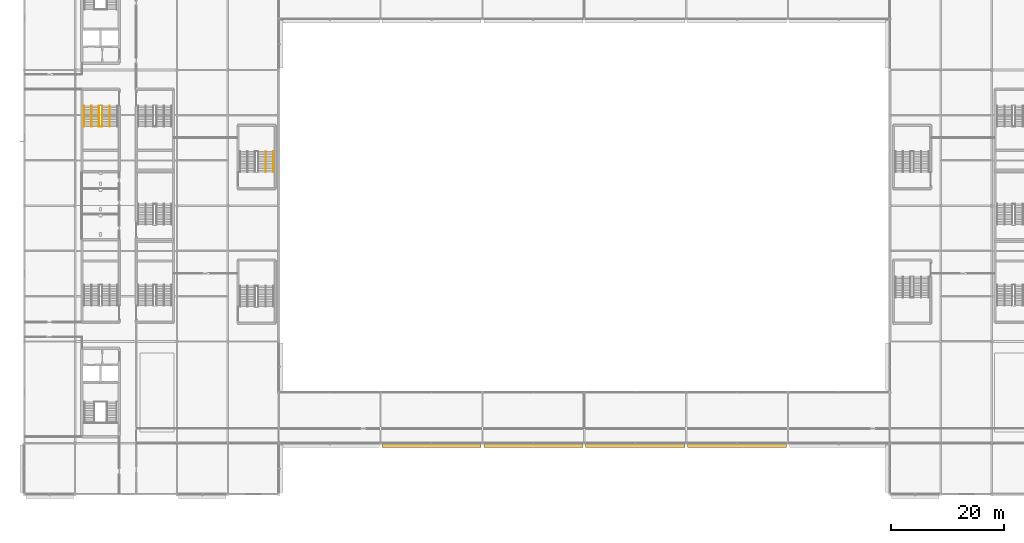
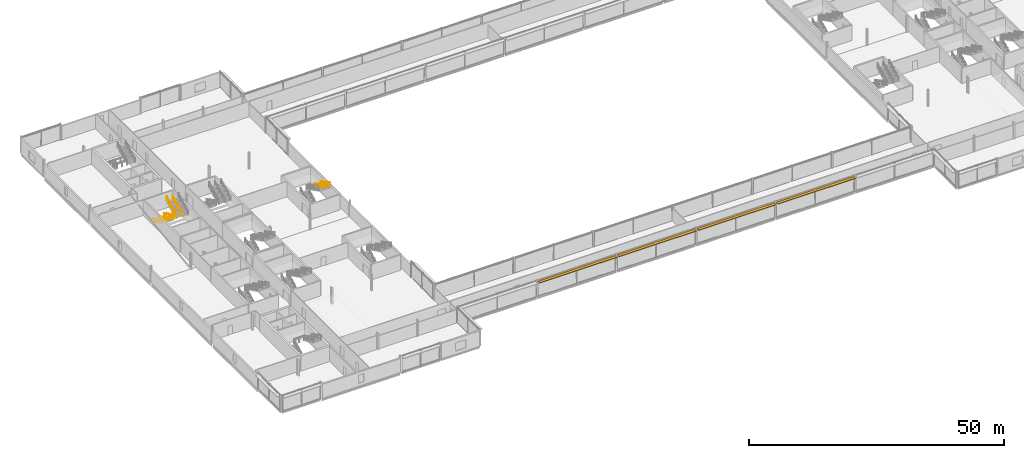
# One storey, part 89 of 96: 6 railings, 4 shading devices.
"""IFC4 building model written with IfcOpenShell, lengths in metres."""

from ifc_helpers import new_model, si_unit, direction, frame, origin, origin_2d, place, context, subcontext, project, spatial, rectangle, circle, extrude, material, type_object, element, save


model = new_model("IFC4")

# Units and contexts
model_context = context("Model", 3, precision=1e-05, world=origin(), true_north=direction((0.0, 1.0)))
body_context = subcontext(model_context, "Body", "Model", "MODEL_VIEW")
ifc_project = project(units=[si_unit("LENGTHUNIT", "METRE"), si_unit("AREAUNIT", "SQUARE_METRE"), si_unit("VOLUMEUNIT", "CUBIC_METRE"), si_unit("PLANEANGLEUNIT", "RADIAN"), si_unit("MASSUNIT", "GRAM", prefix="KILO")], contexts=[model_context])

# Site, building, storey
site_placement = place(None, origin())
site = spatial("IfcSite", under=ifc_project, at=site_placement, CompositionType="ELEMENT")
building_placement = place(site_placement, origin())
building = spatial("IfcBuilding", under=site, at=building_placement, Name="Kisiwana Market Hall", CompositionType="ELEMENT")
storey_placement = place(building_placement, frame((0.0, 0.0, 25.5)))
storey = spatial("IfcBuildingStorey", under=building, at=storey_placement, Name="L05", CompositionType="ELEMENT", Elevation=25.5)

# Railings
ifc_material_1 = material(Name="Steel S275", Category="steel")
railing_type_1 = type_object("IfcRailingType", Name="RL-GUARD-1100", PredefinedType="GUARDRAIL", material=ifc_material_1)
railing_1_placement = place(storey_placement, frame((13.219970703125, 77.639892578125, 0.0)))
element("IfcRailing", 1, at=railing_1_placement, inside=storey, type_object=railing_type_1, Name="Stair ST-W4-L05 inner-well guardrail (RL-873)", PredefinedType="GUARDRAIL", context=body_context, shape_type="SweptSolid", body=[
    extrude(circle(Radius=0.02392578125, at=origin_2d()), frame((0.0, 0.0, 1.076171875), z_axis=(0.0, -0.88255331184, 0.47021234752), x_axis=(1.0, 0.0, 0.0)), (0.0, 0.0, 1.0), 4.14697265625),
    extrude(circle(Radius=0.02392578125, at=origin_2d()), frame((0.0, -3.659912109375, 3.02587890625), z_axis=(1.0, 0.0, 0.0), x_axis=(0.0, 1.0, 0.0)), (0.0, 0.0, 1.0), 0.56005859375),
    extrude(circle(Radius=0.02392578125, at=origin_2d()), frame((0.56005859375, -3.659912109375, 3.02587890625), z_axis=(0.0, 0.88255331184, 0.47021234752), x_axis=(-1.0, 0.0, 0.0)), (0.0, 0.0, 1.0), 4.14697265625),
    extrude(circle(Radius=0.02099609375, at=origin_2d()), origin(), (0.0, 0.0, 1.0), 1.052001953125),
    extrude(circle(Radius=0.02099609375, at=origin_2d()), frame((0.0, -0.9150390625, 0.487548828125)), (0.0, 0.0, 1.0), 1.052001953125),
    extrude(circle(Radius=0.02099609375, at=origin_2d()), frame((0.0, -1.830078125, 0.97509765625)), (0.0, 0.0, 1.0), 1.052001953125),
    extrude(circle(Radius=0.02099609375, at=origin_2d()), frame((0.0, -2.744873046875, 1.46240234375)), (0.0, 0.0, 1.0), 1.052001953125),
    extrude(circle(Radius=0.02099609375, at=origin_2d()), frame((0.0, -3.659912109375, 1.949951171875)), (0.0, 0.0, 1.0), 1.052001953125),
    extrude(circle(Radius=0.02099609375, at=origin_2d()), frame((0.56005859375, -3.659912109375, 1.949951171875)), (0.0, 0.0, 1.0), 1.052001953125),
    extrude(circle(Radius=0.02099609375, at=origin_2d()), frame((0.56005859375, -2.744873046875, 2.4375)), (0.0, 0.0, 1.0), 1.052001953125),
    extrude(circle(Radius=0.02099609375, at=origin_2d()), frame((0.56005859375, -1.830078125, 2.9248046875)), (0.0, 0.0, 1.0), 1.052001953125),
    extrude(circle(Radius=0.02099609375, at=origin_2d()), frame((0.56005859375, -0.9150390625, 3.412353515625)), (0.0, 0.0, 1.0), 1.052001953125),
    extrude(circle(Radius=0.02099609375, at=origin_2d()), frame((0.56005859375, 0.0, 3.89990234375)), (0.0, 0.0, 1.0), 1.052001953125),
])
ifc_material_2 = material(Name="Steel S275", Category="steel")
railing_type_2 = type_object("IfcRailingType", Name="RL-HAND-900", PredefinedType="HANDRAIL", material=ifc_material_2)
for number, where, name in (
    (2, (10.570068359375, 77.639892578125, 0.0), "Stair ST-W4-L05 flight 1 handrail (RL-874)"),
    (3, (11.889892578125, 77.639892578125, 0.0), "Stair ST-W4-L05 flight 1 intermediate handrail (RL-876)"),
):
    element("IfcRailing", number, at=place(storey_placement, frame(where)), inside=storey, type_object=railing_type_2, Name=name, PredefinedType="HANDRAIL", context=body_context, shape_type="SweptSolid", body=[
        extrude(circle(Radius=0.02392578125, at=origin_2d()), frame((0.0, 0.0, 0.8759765625), z_axis=(0.0, -0.88255331184, 0.47021234752), x_axis=(1.0, 0.0, 0.0)), (0.0, 0.0, 1.0), 4.14697265625),
        extrude(circle(Radius=0.02099609375, at=origin_2d()), origin(), (0.0, 0.0, 1.0), 0.851806640625),
        extrude(circle(Radius=0.02099609375, at=origin_2d()), frame((0.0, -0.9150390625, 0.487548828125)), (0.0, 0.0, 1.0), 0.851806640625),
        extrude(circle(Radius=0.02099609375, at=origin_2d()), frame((0.0, -1.830078125, 0.97509765625)), (0.0, 0.0, 1.0), 0.851806640625),
        extrude(circle(Radius=0.02099609375, at=origin_2d()), frame((0.0, -2.744873046875, 1.46240234375)), (0.0, 0.0, 1.0), 0.851806640625),
        extrude(circle(Radius=0.02099609375, at=origin_2d()), frame((0.0, -3.659912109375, 1.949951171875)), (0.0, 0.0, 1.0), 0.851806640625),
    ])
railing_2_placement = place(storey_placement, frame((15.110107421875, 73.97998046875, 1.949951171875)))
element("IfcRailing", 4, at=railing_2_placement, inside=storey, type_object=railing_type_2, Name="Stair ST-W4-L05 flight 2 intermediate handrail (RL-877)", PredefinedType="HANDRAIL", context=body_context, shape_type="SweptSolid", body=[
    extrude(circle(Radius=0.02392578125, at=origin_2d()), frame((0.0, 0.0, 0.8759765625), z_axis=(0.0, 0.88255331184, 0.47021234752), x_axis=(-1.0, 0.0, 0.0)), (0.0, 0.0, 1.0), 4.14697265625),
    extrude(circle(Radius=0.02099609375, at=origin_2d()), origin(), (0.0, 0.0, 1.0), 0.851806640625),
    extrude(circle(Radius=0.02099609375, at=origin_2d()), frame((0.0, 0.9150390625, 0.487548828125)), (0.0, 0.0, 1.0), 0.851806640625),
    extrude(circle(Radius=0.02099609375, at=origin_2d()), frame((0.0, 1.830078125, 0.97509765625)), (0.0, 0.0, 1.0), 0.851806640625),
    extrude(circle(Radius=0.02099609375, at=origin_2d()), frame((0.0, 2.744873046875, 1.46240234375)), (0.0, 0.0, 1.0), 0.851806640625),
    extrude(circle(Radius=0.02099609375, at=origin_2d()), frame((0.0, 3.659912109375, 1.949951171875)), (0.0, 0.0, 1.0), 0.851806640625),
])
for number, where, name in (
    (5, (44.0, 69.6201171875, 1.949951171875), "Stair ST-W10-L05 flight 2 handrail (RL-929)"),
    (6, (42.679931640625, 69.6201171875, 1.949951171875), "Stair ST-W10-L05 flight 2 intermediate handrail (RL-931)"),
):
    element("IfcRailing", number, at=place(storey_placement, frame(where)), inside=storey, type_object=railing_type_2, Name=name, PredefinedType="HANDRAIL", context=body_context, shape_type="SweptSolid", body=[
        extrude(circle(Radius=0.02392578125, at=origin_2d()), frame((0.0, 0.0, 0.8759765625), z_axis=(0.0, -0.882566327451, 0.470187917379), x_axis=(1.0, 0.0, 0.0)), (0.0, 0.0, 1.0), 4.147216796875),
        extrude(circle(Radius=0.02099609375, at=origin_2d()), origin(), (0.0, 0.0, 1.0), 0.851806640625),
        extrude(circle(Radius=0.02099609375, at=origin_2d()), frame((0.0, -0.9150390625, 0.487548828125)), (0.0, 0.0, 1.0), 0.851806640625),
        extrude(circle(Radius=0.02099609375, at=origin_2d()), frame((0.0, -1.830078125, 0.97509765625)), (0.0, 0.0, 1.0), 0.851806640625),
        extrude(circle(Radius=0.02099609375, at=origin_2d()), frame((0.0, -2.7451171875, 1.46240234375)), (0.0, 0.0, 1.0), 0.851806640625),
        extrude(circle(Radius=0.02099609375, at=origin_2d()), frame((0.0, -3.66015625, 1.949951171875)), (0.0, 0.0, 1.0), 0.851806640625),
    ])

# Shading devices
ifc_material_3 = material(Name="Aluminium alloy 6063-T6", Category="aluminium")
shading_device_type = type_object("IfcShadingDeviceType", Name="SHD-JALOUSIE-H", PredefinedType="JALOUSIE", material=ifc_material_3)
for number, where, z_axis, x_axis, name in (
    (7, (72.0, 17.580078125, 3.474853515625), (0.0, 0.0, 1.0), (1.0, 0.0, 0.0), "Aluminium brise-soleil louvre SHD-103 SD-103"),
    (8, (90.0, 17.580078125, 3.474853515625), (0.0, 0.0, 1.0), (1.0, 0.0, 0.0), "Aluminium brise-soleil louvre SHD-104 SD-104"),
    (9, (108.0, 17.580078125, 3.474853515625), (0.0, 0.0, 1.0), (1.0, 0.0, 0.0), "Aluminium brise-soleil louvre SHD-105 SD-105"),
    (10, (126.0, 17.580078125, 3.474853515625), (0.0, 0.0, 1.0), (1.0, 0.0, 0.0), "Aluminium brise-soleil louvre SHD-106 SD-106"),
):
    element("IfcShadingDevice", number, at=place(storey_placement, frame(where, z_axis=z_axis, x_axis=x_axis)), inside=storey, type_object=shading_device_type, Name=name, PredefinedType="JALOUSIE", context=body_context, shape_type="SweptSolid", body=[
        extrude(rectangle(XDim=17.550048828125, YDim=0.64990234375, at=origin_2d()), origin(), (0.0, 0.0, 1.0), 0.1201171875),
    ])

save(model, "model.ifc")
